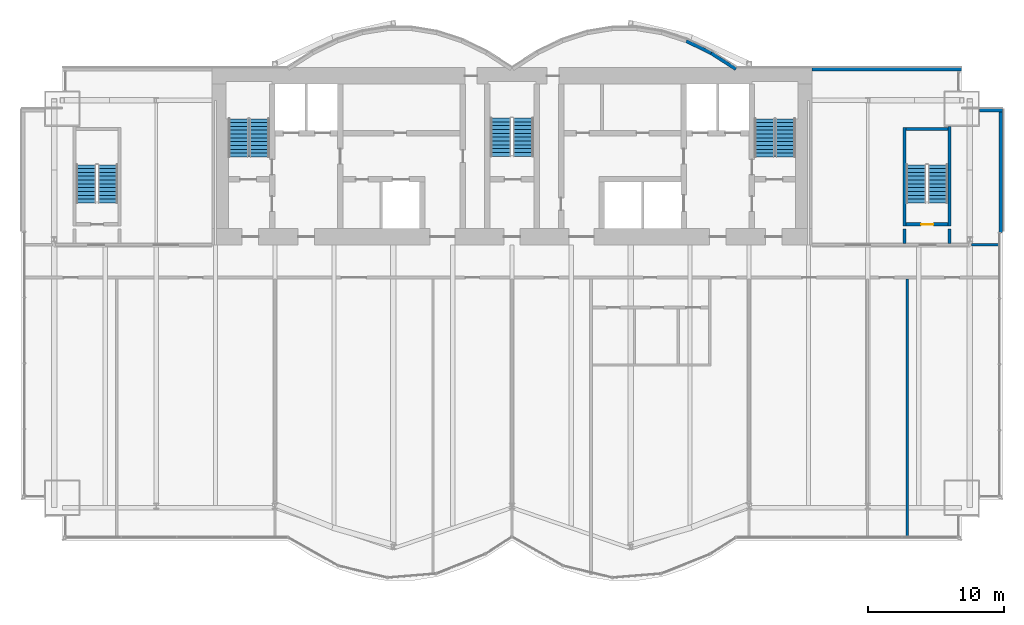
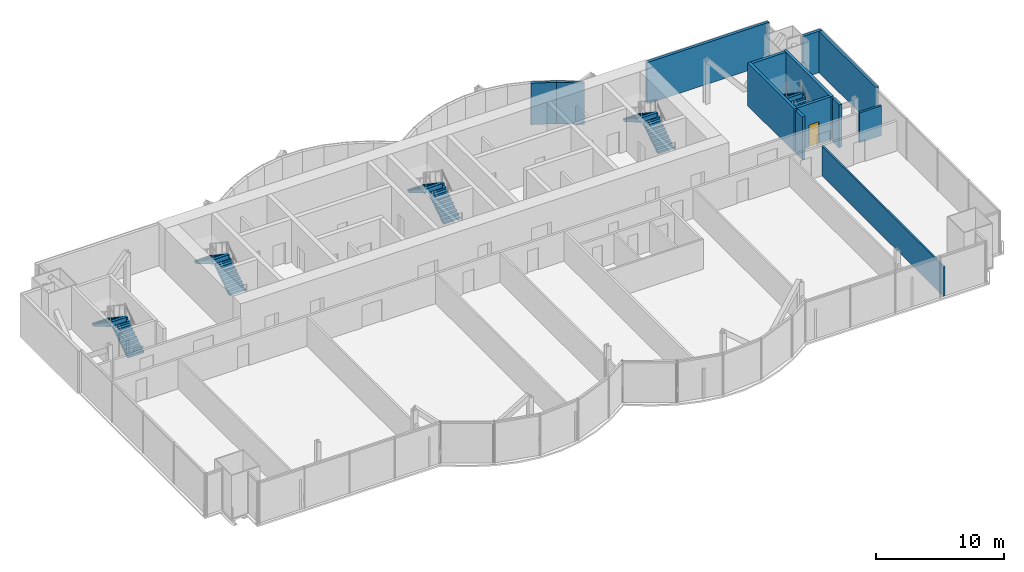
# One storey, part 18 of 21: 13 walls, 10 stair flights, 1 door, 1 opening, 5 elements without a shape of their own.
"""IFC4 building model written with IfcOpenShell, lengths in metres."""

import ifcopenshell
import ifcopenshell.guid

model = None  # the IFC model being written
_history = None  # IfcOwnerHistory: only IFC2X3 demands one
_inside = {}  # id of a spatial element -> (the spatial element, [elements in it])
_under = {}  # id of a project, library or spatial element -> (it, [spatial elements below it])
_declared = {}  # id of a project -> (the project, [libraries it declares])
_typed = {}  # id of a type object -> (the type object, [elements of that type])
_made_of = {}  # id of a material, layer set ... -> (it, [elements and type objects made of it])


def new_model(schema):
    """Start an empty IFC model of exactly this schema.

    Asked for "IFC4X3", IfcOpenShell would pick the latest addendum, in which some entities
    have other attributes; the version numbers below select the first issue.
    IFC2X3 requires an IfcOwnerHistory on every rooted entity: one is made here for all.
    """
    global model, _history
    if schema == "IFC4X3":
        model = ifcopenshell.file(schema_version=(4, 3, 0, 0))
    else:
        model = ifcopenshell.file(schema=schema)
    _inside.clear()
    _under.clear()
    _declared.clear()
    _typed.clear()
    _made_of.clear()
    _history = None
    if model.schema == "IFC2X3":
        org = make("IfcOrganization", Name="unknown")
        user = make(
            "IfcPersonAndOrganization",
            ThePerson=make("IfcPerson", FamilyName="unknown"),
            TheOrganization=org,
        )
        app = make(
            "IfcApplication",
            ApplicationDeveloper=org,
            Version="unknown",
            ApplicationFullName="unknown",
            ApplicationIdentifier="unknown",
        )
        _history = make(
            "IfcOwnerHistory",
            OwningUser=user,
            OwningApplication=app,
            ChangeAction="ADDED",
            CreationDate=0,
        )
    return model


def make(cls, **values):
    """One entity of the class cls with the attributes given. An attribute that is None is left unset."""
    return model.create_entity(
        cls, **{name: value for name, value in values.items() if value is not None}
    )


def rooted(cls, **values):
    """An entity with a GlobalId (a new one), such as an element, a storey or a relation."""
    return make(cls, GlobalId=ifcopenshell.guid.new(), OwnerHistory=_history, **values)


def si_unit(unit_type, name, prefix=None):
    """IfcSIUnit, for example si_unit("LENGTHUNIT", "METRE", prefix="MILLI")."""
    return make("IfcSIUnit", UnitType=unit_type, Prefix=prefix, Name=name)


def assignment(units):
    """IfcUnitAssignment: the units of a project."""
    return None if units is None else make("IfcUnitAssignment", Units=units)


def point(xyz):
    """IfcCartesianPoint."""
    return None if xyz is None else make("IfcCartesianPoint", Coordinates=xyz)


def direction(xyz):
    """IfcDirection."""
    return None if xyz is None else make("IfcDirection", DirectionRatios=xyz)


def frame(location, z_axis=None, x_axis=None):
    """IfcAxis2Placement3D, a coordinate frame: its origin and axes. An axis left out is left unset."""
    return make(
        "IfcAxis2Placement3D",
        Location=point(location),
        Axis=direction(z_axis),
        RefDirection=direction(x_axis),
    )


def frame_2d(location, x_axis=None):
    """IfcAxis2Placement2D, a coordinate frame in the plane: its origin and x axis."""
    return make(
        "IfcAxis2Placement2D", Location=point(location), RefDirection=direction(x_axis)
    )


def origin():
    """The frame at (0, 0, 0) with its axes left unset."""
    return frame((0.0, 0.0, 0.0))


def place(relative_to, where):
    """IfcLocalPlacement: puts the frame where relative to a parent placement (None: the world)."""
    return make(
        "IfcLocalPlacement", PlacementRelTo=relative_to, RelativePlacement=where
    )


def context(
    kind, dimensions, precision=None, world=None, true_north=None, identifier=None
):
    """IfcGeometricRepresentationContext, for example the 3D "Model" context."""
    return make(
        "IfcGeometricRepresentationContext",
        ContextIdentifier=identifier,
        ContextType=kind,
        CoordinateSpaceDimension=dimensions,
        Precision=precision,
        WorldCoordinateSystem=world,
        TrueNorth=true_north,
    )


def subcontext(parent, identifier, kind, view, scale=None):
    """IfcGeometricRepresentationSubContext, for example "Body" below "Model"."""
    return make(
        "IfcGeometricRepresentationSubContext",
        ContextIdentifier=identifier,
        ContextType=kind,
        ParentContext=parent,
        TargetScale=scale,
        TargetView=view,
    )


def project(units=None, contexts=None):
    """IfcProject with its units and contexts."""
    return rooted(
        "IfcProject",
        Name="project",
        RepresentationContexts=contexts,
        UnitsInContext=assignment(units),
    )


def spatial(cls, under=None, at=None, **own):
    """A site, building, storey or space (cls), placed at a placement, below another one or the project."""
    s = rooted(cls, ObjectPlacement=at, **own)
    if under is not None:
        _under.setdefault(under.id(), (under, []))[1].append(s)
    return s


def polyline(points):
    """IfcPolyline through the points."""
    return make("IfcPolyline", Points=[point(p) for p in points])


def profile(cls, at=None, kind="AREA", **sizes):
    """A parametric profile (cls). Its sizes go by their IFC names, for example OverallWidth=200.0."""
    return make(cls, ProfileType=kind, Position=at, **sizes)


def rectangle(**sizes):
    """IfcRectangleProfileDef."""
    return profile("IfcRectangleProfileDef", **sizes)


def outline(outer, holes=None, kind="AREA"):
    """IfcArbitraryClosedProfileDef: a profile drawn as a closed curve; with holes, ...WithVoids."""
    if holes is None:
        return make("IfcArbitraryClosedProfileDef", ProfileType=kind, OuterCurve=outer)
    return make(
        "IfcArbitraryProfileDefWithVoids",
        ProfileType=kind,
        OuterCurve=outer,
        InnerCurves=holes,
    )


def extrude(swept, where, along, depth):
    """IfcExtrudedAreaSolid: the profile swept, set in the frame where, extruded along a direction by depth."""
    return make(
        "IfcExtrudedAreaSolid",
        SweptArea=swept,
        Position=where,
        ExtrudedDirection=direction(along),
        Depth=depth,
    )


def shape(context_of_items, identifier, shape_type, items):
    """IfcShapeRepresentation: the items that make up one representation, for example the "Body"."""
    return make(
        "IfcShapeRepresentation",
        ContextOfItems=context_of_items,
        RepresentationIdentifier=identifier,
        RepresentationType=shape_type,
        Items=items,
    )


def material(Name=None, Category=None):
    """IfcMaterial."""
    return make("IfcMaterial", Name=Name, Category=Category)


def layer(
    of_material, thickness, ventilated=None, Name=None, Category=None, Priority=None
):
    """IfcMaterialLayer: one layer of a wall or slab, of a material (None: an air gap)."""
    return make(
        "IfcMaterialLayer",
        Material=of_material,
        LayerThickness=thickness,
        IsVentilated=ventilated,
        Name=Name,
        Category=Category,
        Priority=Priority,
    )


def layer_set(layers, Name=None):
    """IfcMaterialLayerSet."""
    return make("IfcMaterialLayerSet", MaterialLayers=layers, LayerSetName=Name)


def layer_usage(for_layer_set, set_direction, sense, offset, extent=None):
    """IfcMaterialLayerSetUsage: how a layer set lies in its element."""
    return make(
        "IfcMaterialLayerSetUsage",
        ForLayerSet=for_layer_set,
        LayerSetDirection=set_direction,
        DirectionSense=sense,
        OffsetFromReferenceLine=offset,
        ReferenceExtent=extent,
    )


def made_of(thing, what):
    """Note that an element or type object is made of a material, layer set ...; save() writes the relation."""
    if what is not None:
        _made_of.setdefault(what.id(), (what, []))[1].append(thing)
    return thing


def type_object(cls, material=None, **own):
    """A type object (cls), such as IfcWallType, which elements share."""
    return made_of(rooted(cls, **own), material)


def element(
    cls,
    number,
    at=None,
    inside=None,
    cuts=None,
    type_object=None,
    material=None,
    context=None,
    identifier="Body",
    shape_type=None,
    held_by="IfcProductDefinitionShape",
    body=None,
    shapes=None,
    **own,
):
    """One element of the class cls, such as IfcWall. Its Tag is "e" and its number.

    at: its placement. inside: the storey or other place that contains it. cuts: it is an
    opening in that element (IfcRelVoidsElement). A single representation is given by context,
    identifier, shape_type and body (its items); several are given by shapes. held_by: the class
    of the entity that holds the representations. save() writes the other relations.
    """
    e = rooted(cls, Tag="e%d" % number, ObjectPlacement=at, **own)
    if body is not None:
        shapes = [shape(context, identifier, shape_type, body)]
    if shapes is not None:
        e.Representation = make(held_by, Representations=shapes)
    if inside is not None:
        _inside.setdefault(inside.id(), (inside, []))[1].append(e)
    if cuts is not None:
        rooted(
            "IfcRelVoidsElement", RelatingBuildingElement=cuts, RelatedOpeningElement=e
        )
    if type_object is not None:
        _typed.setdefault(type_object.id(), (type_object, []))[1].append(e)
    return made_of(e, material)


def fill(opening, filler):
    """IfcRelFillsElement: the door or window that sits in an opening."""
    return rooted(
        "IfcRelFillsElement",
        RelatingOpeningElement=opening,
        RelatedBuildingElement=filler,
    )


def aggregate(whole, parts):
    """IfcRelAggregates: a whole, such as a stair, and the parts it consists of."""
    return rooted("IfcRelAggregates", RelatingObject=whole, RelatedObjects=parts)


def save(model, path):
    """Write the relations noted so far, then the file.

    IfcRelAggregates (storeys below a building ...), IfcRelContainedInSpatialStructure (elements
    in a storey), IfcRelDefinesByType, IfcRelAssociatesMaterial and IfcRelDeclares: one each for
    every whole, place, type object, material and project.
    """
    for whole, parts in _under.values():
        aggregate(whole, parts)
    for where, things in _inside.values():
        rooted(
            "IfcRelContainedInSpatialStructure",
            RelatedElements=things,
            RelatingStructure=where,
        )
    for kind, things in _typed.values():
        rooted("IfcRelDefinesByType", RelatedObjects=things, RelatingType=kind)
    for what, things in _made_of.values():
        rooted("IfcRelAssociatesMaterial", RelatedObjects=things, RelatingMaterial=what)
    for by, libraries in _declared.values():
        rooted("IfcRelDeclares", RelatingContext=by, RelatedDefinitions=libraries)
    model.write(path)


model = new_model("IFC4")

# Units and contexts
model_context = context("Model", 3, precision=1e-05, world=origin(), true_north=direction((0.0, 1.0)))
body_context = subcontext(model_context, "Body", "Model", "MODEL_VIEW")
ifc_project = project(units=[si_unit("LENGTHUNIT", "METRE"), si_unit("AREAUNIT", "SQUARE_METRE"), si_unit("VOLUMEUNIT", "CUBIC_METRE"), si_unit("PLANEANGLEUNIT", "RADIAN"), si_unit("MASSUNIT", "GRAM", prefix="KILO")], contexts=[model_context])

# Site, building, storey
site_placement = place(None, origin())
site = spatial("IfcSite", under=ifc_project, at=site_placement, CompositionType="ELEMENT")
building_placement = place(site_placement, origin())
building = spatial("IfcBuilding", under=site, at=building_placement, Name="Bicima Exchange Tower", CompositionType="ELEMENT")
storey_placement = place(building_placement, frame((0.0, 0.0, 165.0)))
storey = spatial("IfcBuildingStorey", under=building, at=storey_placement, Name="L36", CompositionType="ELEMENT", Elevation=165.0)

# Walls
ifc_material_1 = material(Name="Gypsum board partition")
ifc_layer_1 = layer(ifc_material_1, 0.199951171875)
ifc_layer_set_1 = layer_set([ifc_layer_1], Name="Gypsum board partition")
wall_type_1 = type_object("IfcWallType", Name="Fire-rated gypsum partition 200 EI60", PredefinedType="PARTITIONING", material=ifc_layer_set_1)
wall_1_placement = place(storey_placement, frame((33.719970703125, -13.0, 0.0), z_axis=(0.0, 0.0, 1.0), x_axis=(1.0, 0.0, 0.0)))
element("IfcWall", 1, at=wall_1_placement, inside=storey, type_object=wall_type_1, Name="partition wall 7", PredefinedType="PARTITIONING", context=body_context, shape_type="SweptSolid", body=[
    extrude(rectangle(XDim=1.9599609375, YDim=0.199951171875, at=frame_2d((0.97998046875, 0.0))), origin(), (0.0, 0.0, 1.0), 2.84033203125),
])
ifc_layer_2 = layer(ifc_material_1, 0.14990234375)
ifc_layer_set_2 = layer_set([ifc_layer_2], Name="Gypsum board partition")
wall_type_2 = type_object("IfcWallType", Name="Gypsum partition 150", PredefinedType="PARTITIONING", material=ifc_layer_set_2)
wall_2_placement = place(storey_placement, frame((29.0, -34.469970703125, 0.0), z_axis=(0.0, 0.0, 1.0), x_axis=(0.0, 1.0, 0.0)))
element("IfcWall", 2, at=wall_2_placement, inside=storey, type_object=wall_type_2, Name="partition wall 27", PredefinedType="PARTITIONING", context=body_context, shape_type="SweptSolid", body=[
    extrude(rectangle(XDim=18.969970703125, YDim=0.14990234375, at=frame_2d((9.48486328125, 0.0))), origin(), (0.0, 0.0, 1.0), 2.84033203125),
])
ifc_material_2 = material(Name="Concrete C50/60", Category="concrete")
ifc_layer_3 = layer(ifc_material_2, 0.25)
ifc_layer_set_3 = layer_set([ifc_layer_3], Name="Concrete C50/60")
wall_type_3 = type_object("IfcWallType", Name="RC core wall 250 C50/60", PredefinedType="SHEAR", material=ifc_layer_set_3)
for number, where, z_axis, x_axis, name in (
    (3, (28.800048828125, -12.89990234375, 0.0), (0.0, 0.0, 1.0), (0.0, 1.0, 0.0), "stair wall 26"),
    (4, (32.10009765625, -12.89990234375, 0.0), (0.0, 0.0, 1.0), (0.0, 1.0, 0.0), "stair wall 28"),
):
    element("IfcWall", number, at=place(storey_placement, frame(where, z_axis=z_axis, x_axis=x_axis)), inside=storey, type_object=wall_type_3, Name=name, PredefinedType="SHEAR", context=body_context, shape_type="SweptSolid", body=[
        extrude(rectangle(XDim=1.0498046875, YDim=0.25, at=frame_2d((0.52490234375, 0.0))), origin(), (0.0, 0.0, 1.0), 4.10009765625),
    ])
ifc_layer_4 = layer(ifc_material_2, 0.25)
ifc_layer_set_4 = layer_set([ifc_layer_4], Name="Concrete C50/60")
wall_type_4 = type_object("IfcWallType", Name="RC stair enclosure wall 250 C50/60", PredefinedType="SHEAR", material=ifc_layer_set_4)
wall_3_placement = place(storey_placement, frame((28.800048828125, -11.625, 0.0), z_axis=(0.0, 0.0, 1.0), x_axis=(0.0, 1.0, 0.0)))
element("IfcWall", 5, at=wall_3_placement, inside=storey, type_object=wall_type_4, Name="East end exit stair wall W", PredefinedType="SHEAR", context=body_context, shape_type="SweptSolid", body=[
    extrude(rectangle(XDim=7.25, YDim=0.25, at=frame_2d((3.625, 0.0))), origin(), (0.0, 0.0, 1.0), 4.10009765625),
])
wall_4_placement = place(storey_placement, frame((32.10009765625, -11.625, 0.0), z_axis=(0.0, 0.0, 1.0), x_axis=(0.0, 1.0, 0.0)))
element("IfcWall", 6, at=wall_4_placement, inside=storey, type_object=wall_type_4, Name="East end exit stair wall E", PredefinedType="SHEAR", context=body_context, shape_type="SweptSolid", body=[
    extrude(rectangle(XDim=7.324951171875, YDim=0.25, at=frame_2d((3.66259765625, 0.0))), origin(), (0.0, 0.0, 1.0), 4.10009765625),
])

# Wall, opening, door
wall_5_placement = place(storey_placement, frame((28.925048828125, -11.5, 0.0), z_axis=(0.0, 0.0, 1.0), x_axis=(1.0, 0.0, 0.0)))
wall_5 = element("IfcWall", 7, at=wall_5_placement, inside=storey, type_object=wall_type_4, Name="East end exit stair wall S", PredefinedType="SHEAR", context=body_context, shape_type="SweptSolid", body=[
    extrude(rectangle(XDim=3.050048828125, YDim=0.25, at=frame_2d((1.52490234375, 0.0))), origin(), (0.0, 0.0, 1.0), 4.10009765625),
])
opening_placement = place(wall_5_placement, frame((1.10009765625, 0.0, 0.0)))
opening = element("IfcOpeningElement", 8, at=opening_placement, cuts=wall_5, Name="Opening L36-004", PredefinedType="OPENING", context=body_context, shape_type="SweptSolid", body=[
    extrude(rectangle(XDim=0.89990234375, YDim=2.10009765625, at=frame_2d((0.449951171875, 1.050048828125))), frame((0.0, 0.136962890625, 0.0), z_axis=(0.0, -1.0, 0.0), x_axis=(1.0, 0.0, 0.0)), (0.0, 0.0, 1.0), 0.27392578125),
])
ifc_material_3 = material(Name="Steel fire door leaf", Category="steel")
door_type = type_object("IfcDoorType", Name="Door 900 swing FD60S", OperationType="SINGLE_SWING_LEFT", PredefinedType="DOOR", material=ifc_material_3)
door_placement = place(opening_placement, origin())
door = element("IfcDoor", 9, at=door_placement, inside=storey, type_object=door_type, Name="Door", OperationType="SINGLE_SWING_LEFT", OverallHeight=2.10009765625, OverallWidth=0.89990234375, PredefinedType="DOOR", context=body_context, shape_type="SweptSolid", body=[
    extrude(rectangle(XDim=0.89990234375, YDim=2.10009765625, at=frame_2d((0.449951171875, 1.050048828125))), frame((0.0, 0.02490234375, 0.0), z_axis=(0.0, -1.0, 0.0), x_axis=(1.0, 0.0, 0.0)), (0.0, 0.0, 1.0), 0.050048828125),
])
fill(opening, door)

# Walls
wall_6_placement = place(storey_placement, frame((28.925048828125, -4.5, 0.0), z_axis=(0.0, 0.0, 1.0), x_axis=(1.0, 0.0, 0.0)))
element("IfcWall", 10, at=wall_6_placement, inside=storey, type_object=wall_type_4, Name="East end exit stair wall N", PredefinedType="SHEAR", context=body_context, shape_type="SweptSolid", body=[
    extrude(rectangle(XDim=3.050048828125, YDim=0.25, at=frame_2d((1.52490234375, 0.0))), origin(), (0.0, 0.0, 1.0), 4.10009765625),
])
ifc_material_4 = material(Name="Concrete C40/50", Category="concrete")
ifc_layer_5 = layer(ifc_material_4, 0.25)
ifc_layer_set_5 = layer_set([ifc_layer_5], Name="Concrete C40/50")
ifc_layer_usage = layer_usage(ifc_layer_set_5, "AXIS2", "POSITIVE", -0.125)
wall_type_5 = type_object("IfcWallType", Name="Rear backup wall 250", PredefinedType="STANDARD", material=ifc_layer_set_5)
wall_7_placement = place(storey_placement, frame((33.0, -0.125, 0.0), z_axis=(0.0, 0.0, 1.0), x_axis=(-1.0, 0.0, 0.0)))
element("IfcWall", 11, at=wall_7_placement, inside=storey, type_object=wall_type_5, material=ifc_layer_usage, Name="Rear backup wall L36 1", PredefinedType="STANDARD", context=body_context, shape_type="SweptSolid", body=[
    extrude(rectangle(XDim=11.0, YDim=0.25, at=frame_2d((5.5, 0.0))), origin(), (0.0, 0.0, 1.0), 3.949951171875),
])
wall_8_placement = place(storey_placement, frame((16.43212890625, -0.10498046875, 0.0), z_axis=(0.0, 0.0, 1.0), x_axis=(-0.83981312244, 0.542875602121, 0.0)))
element("IfcWall", 12, at=wall_8_placement, inside=storey, type_object=wall_type_5, material=ifc_layer_usage, Name="Rear backup wall L36 2", PredefinedType="STANDARD", context=body_context, shape_type="SweptSolid", body=[
    extrude(rectangle(XDim=2.182861328125, YDim=0.25, at=frame_2d((1.09130859375, 0.0))), origin(), (0.0, 0.0, 1.0), 3.949951171875),
])
wall_9_placement = place(storey_placement, frame((14.6123046875, 1.07275390625, 0.0), z_axis=(0.0, 0.0, 1.0), x_axis=(-0.89982408427, 0.436252928206, 0.0)))
element("IfcWall", 13, at=wall_9_placement, inside=storey, type_object=wall_type_5, material=ifc_layer_usage, Name="Rear backup wall L36 3", PredefinedType="STANDARD", context=body_context, shape_type="SweptSolid", body=[
    extrude(rectangle(XDim=2.03759765625, YDim=0.25, at=frame_2d((1.018798828125, 0.0))), origin(), (0.0, 0.0, 1.0), 3.949951171875),
])
wall_10_placement = place(storey_placement, frame((35.875, -12.090087890625, 0.0), z_axis=(0.0, 0.0, 1.0), x_axis=(0.0, 1.0, 0.0)))
element("IfcWall", 14, at=wall_10_placement, inside=storey, type_object=wall_type_5, material=ifc_layer_usage, Name="Rear backup wall L36 50", PredefinedType="STANDARD", context=body_context, shape_type="SweptSolid", body=[
    extrude(rectangle(XDim=9.090087890625, YDim=0.25, at=frame_2d((4.544921875, 0.0))), origin(), (0.0, 0.0, 1.0), 3.949951171875),
])
wall_11_placement = place(storey_placement, frame((36.0, -3.125, 0.0), z_axis=(0.0, 0.0, 1.0), x_axis=(-1.0, 0.0, 0.0)))
element("IfcWall", 15, at=wall_11_placement, inside=storey, type_object=wall_type_5, material=ifc_layer_usage, Name="Rear backup wall L36 51", PredefinedType="STANDARD", context=body_context, shape_type="SweptSolid", body=[
    extrude(rectangle(XDim=1.699951171875, YDim=0.25, at=frame_2d((0.85009765625, 0.0))), origin(), (0.0, 0.0, 1.0), 3.949951171875),
])

# Stair, stair flights
stair_type_1 = type_object("IfcStairType", Name="Exit stair", PredefinedType="HALF_TURN_STAIR", material=ifc_material_2)
stair_1_placement = place(storey_placement, origin())
stair_1 = element("IfcStair", 16, at=stair_1_placement, inside=storey, type_object=stair_type_1, Name="L36 West exit stair", PredefinedType="HALF_TURN_STAIR")
stair_flight_type_1 = type_object("IfcStairFlightType", Name="Stair flight RC", PredefinedType="STRAIGHT", material=ifc_material_2)
stair_flight_1_placement = place(storey_placement, frame((-18.52490234375, -6.550048828125, 0.0), z_axis=(0.0, 0.0, 1.0), x_axis=(0.0, 1.0, 0.0)))
stair_flight_1 = element("IfcStairFlight", 17, at=stair_flight_1_placement, type_object=stair_flight_type_1, Name="ST-W flight 1", NumberOfRisers=11, NumberOfTreads=10, PredefinedType="STRAIGHT", RiserHeight=0.186363636, TreadLength=0.28, context=body_context, shape_type="SweptSolid", body=[
    extrude(outline(polyline([(0.0, 0.0), (0.0, 0.186279296875), (0.280029296875, 0.186279296875), (0.280029296875, 0.372802734375), (0.56005859375, 0.372802734375), (0.56005859375, 0.55908203125), (0.840087890625, 0.55908203125), (0.840087890625, 0.745361328125), (1.1201171875, 0.745361328125), (1.1201171875, 0.931884765625), (1.39990234375, 0.931884765625), (1.39990234375, 1.1181640625), (1.679931640625, 1.1181640625), (1.679931640625, 1.304443359375), (1.9599609375, 1.304443359375), (1.9599609375, 1.490966796875), (2.239990234375, 1.490966796875), (2.239990234375, 1.67724609375), (2.52001953125, 1.67724609375), (2.52001953125, 1.863525390625), (2.800048828125, 1.863525390625), (2.800048828125, 2.050048828125), (2.800048828125, 1.68359375), (0.2705078125, 0.0), (0.0, 0.0)])), frame((0.0, 0.72509765625, 0.0), z_axis=(0.0, -1.0, 0.0), x_axis=(1.0, 0.0, 0.0)), (0.0, 0.0, 1.0), 1.449951171875),
])
stair_flight_2_placement = place(storey_placement, frame((-20.074951171875, -3.75, 2.050048828125), z_axis=(0.0, 0.0, 1.0), x_axis=(0.0, -1.0, 0.0)))
stair_flight_2 = element("IfcStairFlight", 18, at=stair_flight_2_placement, type_object=stair_flight_type_1, Name="ST-W flight 2", NumberOfRisers=11, NumberOfTreads=10, PredefinedType="STRAIGHT", RiserHeight=0.186363636, TreadLength=0.28, context=body_context, shape_type="SweptSolid", body=[
    extrude(outline(polyline([(0.0, 0.0), (0.0, 0.186279296875), (0.280029296875, 0.186279296875), (0.280029296875, 0.372802734375), (0.56005859375, 0.372802734375), (0.56005859375, 0.55908203125), (0.840087890625, 0.55908203125), (0.840087890625, 0.745361328125), (1.1201171875, 0.745361328125), (1.1201171875, 0.931884765625), (1.39990234375, 0.931884765625), (1.39990234375, 1.1181640625), (1.679931640625, 1.1181640625), (1.679931640625, 1.304443359375), (1.9599609375, 1.304443359375), (1.9599609375, 1.490966796875), (2.239990234375, 1.490966796875), (2.239990234375, 1.67724609375), (2.52001953125, 1.67724609375), (2.52001953125, 1.863525390625), (2.800048828125, 1.863525390625), (2.800048828125, 1.904052734375), (2.81494140625, 1.904052734375), (2.81494140625, 1.507080078125), (0.2705078125, 0.0), (0.0, 0.0)])), frame((0.0, 0.72509765625, 0.0), z_axis=(0.0, -1.0, 0.0), x_axis=(1.0, 0.0, 0.0)), (0.0, 0.0, 1.0), 1.449951171875),
])
aggregate(stair_1, [stair_flight_1, stair_flight_2])

stair_2_placement = place(storey_placement, origin())
stair_2 = element("IfcStair", 19, at=stair_2_placement, inside=storey, type_object=stair_type_1, Name="L36 East exit stair", PredefinedType="HALF_TURN_STAIR")
stair_flight_3_placement = place(storey_placement, frame((20.074951171875, -6.550048828125, 0.0), z_axis=(0.0, 0.0, 1.0), x_axis=(0.0, 1.0, 0.0)))
stair_flight_3 = element("IfcStairFlight", 20, at=stair_flight_3_placement, type_object=stair_flight_type_1, Name="ST-E flight 1", NumberOfRisers=11, NumberOfTreads=10, PredefinedType="STRAIGHT", RiserHeight=0.186363636, TreadLength=0.28, context=body_context, shape_type="SweptSolid", body=[
    extrude(outline(polyline([(0.0, 0.0), (0.0, 0.186279296875), (0.280029296875, 0.186279296875), (0.280029296875, 0.372802734375), (0.56005859375, 0.372802734375), (0.56005859375, 0.55908203125), (0.840087890625, 0.55908203125), (0.840087890625, 0.745361328125), (1.1201171875, 0.745361328125), (1.1201171875, 0.931884765625), (1.39990234375, 0.931884765625), (1.39990234375, 1.1181640625), (1.679931640625, 1.1181640625), (1.679931640625, 1.304443359375), (1.9599609375, 1.304443359375), (1.9599609375, 1.490966796875), (2.239990234375, 1.490966796875), (2.239990234375, 1.67724609375), (2.52001953125, 1.67724609375), (2.52001953125, 1.863525390625), (2.800048828125, 1.863525390625), (2.800048828125, 2.050048828125), (2.800048828125, 1.68359375), (0.2705078125, 0.0), (0.0, 0.0)])), frame((0.0, 0.72509765625, 0.0), z_axis=(0.0, -1.0, 0.0), x_axis=(1.0, 0.0, 0.0)), (0.0, 0.0, 1.0), 1.449951171875),
])
stair_flight_4_placement = place(storey_placement, frame((18.52490234375, -3.75, 2.050048828125), z_axis=(0.0, 0.0, 1.0), x_axis=(0.0, -1.0, 0.0)))
stair_flight_4 = element("IfcStairFlight", 21, at=stair_flight_4_placement, type_object=stair_flight_type_1, Name="ST-E flight 2", NumberOfRisers=11, NumberOfTreads=10, PredefinedType="STRAIGHT", RiserHeight=0.186363636, TreadLength=0.28, context=body_context, shape_type="SweptSolid", body=[
    extrude(outline(polyline([(0.0, 0.0), (0.0, 0.186279296875), (0.280029296875, 0.186279296875), (0.280029296875, 0.372802734375), (0.56005859375, 0.372802734375), (0.56005859375, 0.55908203125), (0.840087890625, 0.55908203125), (0.840087890625, 0.745361328125), (1.1201171875, 0.745361328125), (1.1201171875, 0.931884765625), (1.39990234375, 0.931884765625), (1.39990234375, 1.1181640625), (1.679931640625, 1.1181640625), (1.679931640625, 1.304443359375), (1.9599609375, 1.304443359375), (1.9599609375, 1.490966796875), (2.239990234375, 1.490966796875), (2.239990234375, 1.67724609375), (2.52001953125, 1.67724609375), (2.52001953125, 1.863525390625), (2.800048828125, 1.863525390625), (2.800048828125, 1.904052734375), (2.81494140625, 1.904052734375), (2.81494140625, 1.507080078125), (0.2705078125, 0.0), (0.0, 0.0)])), frame((0.0, 0.72509765625, 0.0), z_axis=(0.0, -1.0, 0.0), x_axis=(1.0, 0.0, 0.0)), (0.0, 0.0, 1.0), 1.449951171875),
])
aggregate(stair_2, [stair_flight_3, stair_flight_4])

stair_3_placement = place(storey_placement, origin())
stair_3 = element("IfcStair", 22, at=stair_3_placement, inside=storey, type_object=stair_type_1, Name="L36 West end exit stair", PredefinedType="HALF_TURN_STAIR")
stair_flight_5_placement = place(storey_placement, frame((-29.64990234375, -9.925048828125, 0.0), z_axis=(0.0, 0.0, 1.0), x_axis=(0.0, 1.0, 0.0)))
stair_flight_5 = element("IfcStairFlight", 23, at=stair_flight_5_placement, type_object=stair_flight_type_1, Name="ST-WW flight 1", NumberOfRisers=11, NumberOfTreads=10, PredefinedType="STRAIGHT", RiserHeight=0.186363636, TreadLength=0.28, context=body_context, shape_type="SweptSolid", body=[
    extrude(outline(polyline([(0.0, 0.0), (0.0, 0.186279296875), (0.280029296875, 0.186279296875), (0.280029296875, 0.372802734375), (0.56005859375, 0.372802734375), (0.56005859375, 0.55908203125), (0.840087890625, 0.55908203125), (0.840087890625, 0.745361328125), (1.1201171875, 0.745361328125), (1.1201171875, 0.931884765625), (1.39990234375, 0.931884765625), (1.39990234375, 1.1181640625), (1.679931640625, 1.1181640625), (1.679931640625, 1.304443359375), (1.9599609375, 1.304443359375), (1.9599609375, 1.490966796875), (2.239990234375, 1.490966796875), (2.239990234375, 1.67724609375), (2.52001953125, 1.67724609375), (2.52001953125, 1.863525390625), (2.800048828125, 1.863525390625), (2.800048828125, 2.050048828125), (2.800048828125, 1.68359375), (0.2705078125, 0.0), (0.0, 0.0)])), frame((0.0, 0.72509765625, 0.0), z_axis=(0.0, -1.0, 0.0), x_axis=(1.0, 0.0, 0.0)), (0.0, 0.0, 1.0), 1.449951171875),
])
stair_flight_6_placement = place(storey_placement, frame((-31.25, -7.125, 2.050048828125), z_axis=(0.0, 0.0, 1.0), x_axis=(0.0, -1.0, 0.0)))
stair_flight_6 = element("IfcStairFlight", 24, at=stair_flight_6_placement, type_object=stair_flight_type_1, Name="ST-WW flight 2", NumberOfRisers=11, NumberOfTreads=10, PredefinedType="STRAIGHT", RiserHeight=0.186363636, TreadLength=0.28, context=body_context, shape_type="SweptSolid", body=[
    extrude(outline(polyline([(0.0, 0.0), (0.0, 0.186279296875), (0.280029296875, 0.186279296875), (0.280029296875, 0.372802734375), (0.56005859375, 0.372802734375), (0.56005859375, 0.55908203125), (0.840087890625, 0.55908203125), (0.840087890625, 0.745361328125), (1.1201171875, 0.745361328125), (1.1201171875, 0.931884765625), (1.39990234375, 0.931884765625), (1.39990234375, 1.1181640625), (1.679931640625, 1.1181640625), (1.679931640625, 1.304443359375), (1.9599609375, 1.304443359375), (1.9599609375, 1.490966796875), (2.239990234375, 1.490966796875), (2.239990234375, 1.67724609375), (2.52001953125, 1.67724609375), (2.52001953125, 1.863525390625), (2.800048828125, 1.863525390625), (2.800048828125, 1.904052734375), (2.81494140625, 1.904052734375), (2.81494140625, 1.507080078125), (0.2705078125, 0.0), (0.0, 0.0)])), frame((0.0, 0.72509765625, 0.0), z_axis=(0.0, -1.0, 0.0), x_axis=(1.0, 0.0, 0.0)), (0.0, 0.0, 1.0), 1.449951171875),
])
aggregate(stair_3, [stair_flight_5, stair_flight_6])

stair_4_placement = place(storey_placement, origin())
stair_4 = element("IfcStair", 25, at=stair_4_placement, inside=storey, type_object=stair_type_1, Name="L36 East end exit stair", PredefinedType="HALF_TURN_STAIR")
stair_flight_7_placement = place(storey_placement, frame((31.25, -9.925048828125, 0.0), z_axis=(0.0, 0.0, 1.0), x_axis=(0.0, 1.0, 0.0)))
stair_flight_7 = element("IfcStairFlight", 26, at=stair_flight_7_placement, type_object=stair_flight_type_1, Name="ST-EE flight 1", NumberOfRisers=11, NumberOfTreads=10, PredefinedType="STRAIGHT", RiserHeight=0.186363636, TreadLength=0.28, context=body_context, shape_type="SweptSolid", body=[
    extrude(outline(polyline([(0.0, 0.0), (0.0, 0.186279296875), (0.280029296875, 0.186279296875), (0.280029296875, 0.372802734375), (0.56005859375, 0.372802734375), (0.56005859375, 0.55908203125), (0.840087890625, 0.55908203125), (0.840087890625, 0.745361328125), (1.1201171875, 0.745361328125), (1.1201171875, 0.931884765625), (1.39990234375, 0.931884765625), (1.39990234375, 1.1181640625), (1.679931640625, 1.1181640625), (1.679931640625, 1.304443359375), (1.9599609375, 1.304443359375), (1.9599609375, 1.490966796875), (2.239990234375, 1.490966796875), (2.239990234375, 1.67724609375), (2.52001953125, 1.67724609375), (2.52001953125, 1.863525390625), (2.800048828125, 1.863525390625), (2.800048828125, 2.050048828125), (2.800048828125, 1.68359375), (0.2705078125, 0.0), (0.0, 0.0)])), frame((0.0, 0.72509765625, 0.0), z_axis=(0.0, -1.0, 0.0), x_axis=(1.0, 0.0, 0.0)), (0.0, 0.0, 1.0), 1.449951171875),
])
stair_flight_8_placement = place(storey_placement, frame((29.64990234375, -7.125, 2.050048828125), z_axis=(0.0, 0.0, 1.0), x_axis=(0.0, -1.0, 0.0)))
stair_flight_8 = element("IfcStairFlight", 27, at=stair_flight_8_placement, type_object=stair_flight_type_1, Name="ST-EE flight 2", NumberOfRisers=11, NumberOfTreads=10, PredefinedType="STRAIGHT", RiserHeight=0.186363636, TreadLength=0.28, context=body_context, shape_type="SweptSolid", body=[
    extrude(outline(polyline([(0.0, 0.0), (0.0, 0.186279296875), (0.280029296875, 0.186279296875), (0.280029296875, 0.372802734375), (0.56005859375, 0.372802734375), (0.56005859375, 0.55908203125), (0.840087890625, 0.55908203125), (0.840087890625, 0.745361328125), (1.1201171875, 0.745361328125), (1.1201171875, 0.931884765625), (1.39990234375, 0.931884765625), (1.39990234375, 1.1181640625), (1.679931640625, 1.1181640625), (1.679931640625, 1.304443359375), (1.9599609375, 1.304443359375), (1.9599609375, 1.490966796875), (2.239990234375, 1.490966796875), (2.239990234375, 1.67724609375), (2.52001953125, 1.67724609375), (2.52001953125, 1.863525390625), (2.800048828125, 1.863525390625), (2.800048828125, 1.904052734375), (2.81494140625, 1.904052734375), (2.81494140625, 1.507080078125), (0.2705078125, 0.0), (0.0, 0.0)])), frame((0.0, 0.72509765625, 0.0), z_axis=(0.0, -1.0, 0.0), x_axis=(1.0, 0.0, 0.0)), (0.0, 0.0, 1.0), 1.449951171875),
])
aggregate(stair_4, [stair_flight_7, stair_flight_8])

stair_type_2 = type_object("IfcStairType", Name="Exit stair 1500", PredefinedType="HALF_TURN_STAIR", material=ifc_material_2)
stair_5_placement = place(storey_placement, origin())
stair_5 = element("IfcStair", 28, at=stair_5_placement, inside=storey, type_object=stair_type_2, Name="L36 Central exit stair", PredefinedType="HALF_TURN_STAIR")
stair_flight_type_2 = type_object("IfcStairFlightType", Name="Stair flight RC 1500", PredefinedType="STRAIGHT", material=ifc_material_2)
stair_flight_9_placement = place(storey_placement, frame((0.824951171875, -6.5, 0.0), z_axis=(0.0, 0.0, 1.0), x_axis=(0.0, 1.0, 0.0)))
stair_flight_9 = element("IfcStairFlight", 29, at=stair_flight_9_placement, type_object=stair_flight_type_2, Name="ST-C flight 1", NumberOfRisers=11, NumberOfTreads=10, PredefinedType="STRAIGHT", RiserHeight=0.186363636, TreadLength=0.28, context=body_context, shape_type="SweptSolid", body=[
    extrude(outline(polyline([(0.0, 0.0), (0.0, 0.186279296875), (0.280029296875, 0.186279296875), (0.280029296875, 0.372802734375), (0.56005859375, 0.372802734375), (0.56005859375, 0.55908203125), (0.840087890625, 0.55908203125), (0.840087890625, 0.745361328125), (1.1201171875, 0.745361328125), (1.1201171875, 0.931884765625), (1.39990234375, 0.931884765625), (1.39990234375, 1.1181640625), (1.679931640625, 1.1181640625), (1.679931640625, 1.304443359375), (1.9599609375, 1.304443359375), (1.9599609375, 1.490966796875), (2.239990234375, 1.490966796875), (2.239990234375, 1.67724609375), (2.52001953125, 1.67724609375), (2.52001953125, 1.863525390625), (2.800048828125, 1.863525390625), (2.800048828125, 2.050048828125), (2.800048828125, 1.68359375), (0.2705078125, 0.0), (0.0, 0.0)])), frame((0.0, 0.75, 0.0), z_axis=(0.0, -1.0, 0.0), x_axis=(1.0, 0.0, 0.0)), (0.0, 0.0, 1.0), 1.5),
])
stair_flight_10_placement = place(storey_placement, frame((-0.824951171875, -3.699951171875, 2.050048828125), z_axis=(0.0, 0.0, 1.0), x_axis=(0.0, -1.0, 0.0)))
stair_flight_10 = element("IfcStairFlight", 30, at=stair_flight_10_placement, type_object=stair_flight_type_2, Name="ST-C flight 2", NumberOfRisers=11, NumberOfTreads=10, PredefinedType="STRAIGHT", RiserHeight=0.186363636, TreadLength=0.28, context=body_context, shape_type="SweptSolid", body=[
    extrude(outline(polyline([(0.0, 0.0), (0.0, 0.186279296875), (0.280029296875, 0.186279296875), (0.280029296875, 0.372802734375), (0.56005859375, 0.372802734375), (0.56005859375, 0.55908203125), (0.840087890625, 0.55908203125), (0.840087890625, 0.745361328125), (1.1201171875, 0.745361328125), (1.1201171875, 0.931884765625), (1.39990234375, 0.931884765625), (1.39990234375, 1.1181640625), (1.679931640625, 1.1181640625), (1.679931640625, 1.304443359375), (1.9599609375, 1.304443359375), (1.9599609375, 1.490966796875), (2.239990234375, 1.490966796875), (2.239990234375, 1.67724609375), (2.52001953125, 1.67724609375), (2.52001953125, 1.863525390625), (2.800048828125, 1.863525390625), (2.800048828125, 1.904052734375), (2.81494140625, 1.904052734375), (2.81494140625, 1.507080078125), (0.2705078125, 0.0), (0.0, 0.0)])), frame((0.0, 0.75, 0.0), z_axis=(0.0, -1.0, 0.0), x_axis=(1.0, 0.0, 0.0)), (0.0, 0.0, 1.0), 1.5),
])
aggregate(stair_5, [stair_flight_9, stair_flight_10])

save(model, "model.ifc")
